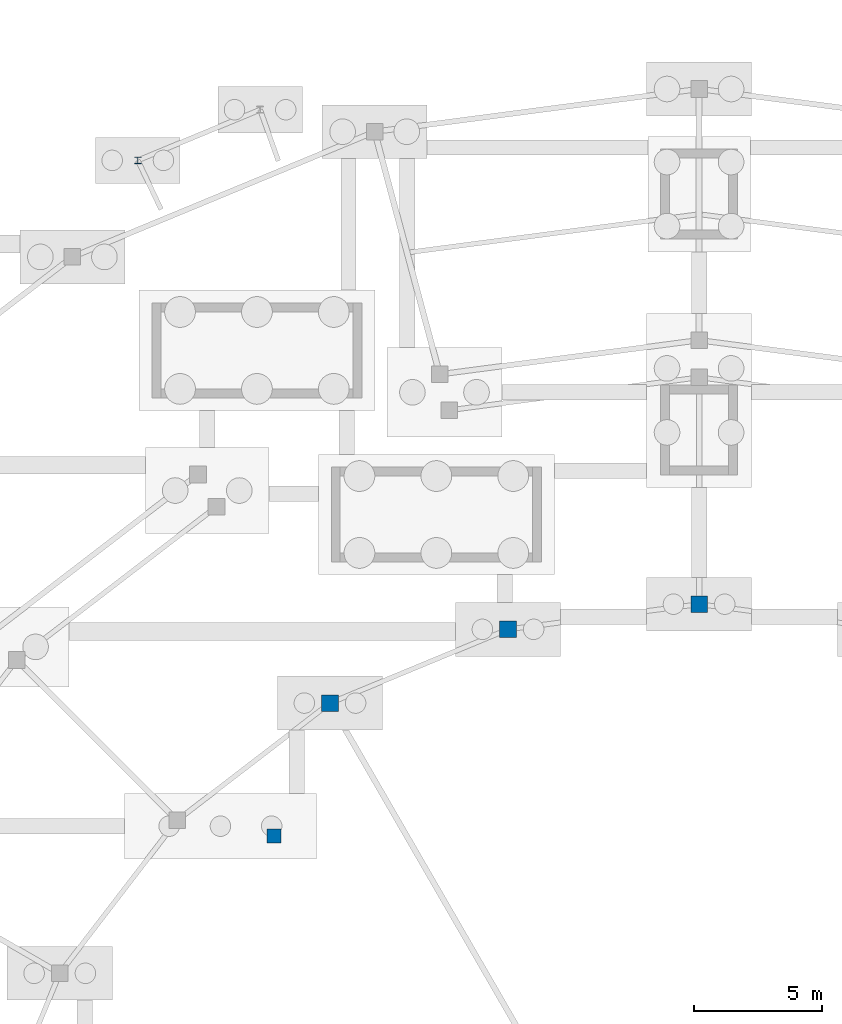
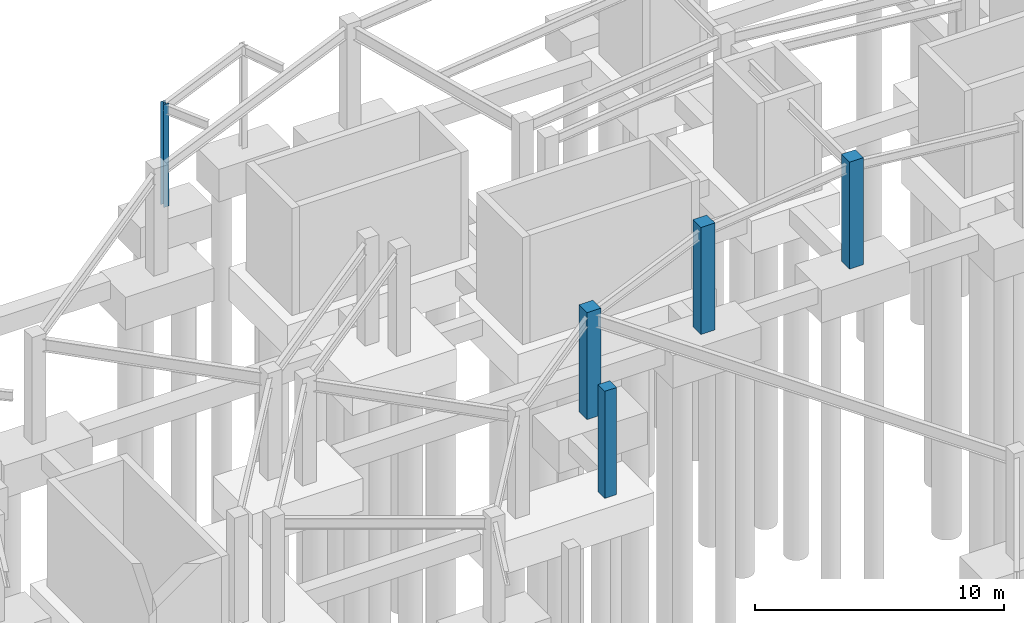
# One storey, part 24 of 55: 5 columns.
"""IFC4 building model written with IfcOpenShell, lengths in metres."""

from ifc_helpers import new_model, si_unit, direction, frame, origin, origin_2d, place, context, subcontext, project, spatial, rectangle, i_section, extrude, material, material_profile, profile_set, type_object, element, save


model = new_model("IFC4")

# Units and contexts
model_context = context("Model", 3, precision=1e-05, world=origin(), true_north=direction((0.0, 1.0)))
body_context = subcontext(model_context, "Body", "Model", "MODEL_VIEW")
ifc_project = project(units=[si_unit("LENGTHUNIT", "METRE"), si_unit("AREAUNIT", "SQUARE_METRE"), si_unit("VOLUMEUNIT", "CUBIC_METRE"), si_unit("PLANEANGLEUNIT", "RADIAN"), si_unit("MASSUNIT", "GRAM", prefix="KILO")], contexts=[model_context])

# Site, building, storey
site_placement = place(None, origin())
site = spatial("IfcSite", under=ifc_project, at=site_placement, CompositionType="ELEMENT")
building_placement = place(site_placement, origin())
building = spatial("IfcBuilding", under=site, at=building_placement, Name="Almandine Court Research Institute", CompositionType="ELEMENT")
storey_placement = place(building_placement, frame((0.0, 0.0, -5.25)))
storey = spatial("IfcBuildingStorey", under=building, at=storey_placement, Name="B1", CompositionType="ELEMENT", Elevation=-5.25)

# Columns
ifc_material_1 = material(Name="Concrete C40/50", Category="concrete")
ifc_material_profile_1 = material_profile(ifc_material_1, rectangle(XDim=0.64990234375, YDim=0.64990234375, at=origin_2d()), Name="RC 650x650")
ifc_profile_set_1 = profile_set([ifc_material_profile_1], Name="Concrete C40/50")
column_type_1 = type_object("IfcColumnType", Name="Col-C-RC2", PredefinedType="COLUMN", material=ifc_profile_set_1)
for number, where, z_axis, x_axis, name in (
    (1, (87.0, 84.800048828125, 0.0), (0.0, 0.0, 1.0), (1.0, 0.0, 0.0), "B1 V2 Column V2-MID-S06"),
    (2, (79.5458984375, 83.819091796875, 0.0), (0.0, 0.0, 1.0), (1.0, 0.0, 0.0), "B1 V2 Column V2-MID-S07"),
    (3, (72.60009765625, 80.94189453125, 0.0), (0.0, 0.0, 1.0), (1.0, 0.0, 0.0), "B1 V2 Column V2-MID-S08"),
):
    element("IfcColumn", number, at=place(storey_placement, frame(where, z_axis=z_axis, x_axis=x_axis)), inside=storey, type_object=column_type_1, Name=name, PredefinedType="COLUMN", context=body_context, shape_type="SweptSolid", body=[
        extrude(rectangle(XDim=0.64990234375, YDim=0.64990234375, at=origin_2d()), origin(), (0.0, 0.0, 1.0), 5.25),
    ])
ifc_material_profile_2 = material_profile(ifc_material_1, rectangle(XDim=0.550048828125, YDim=0.550048828125, at=origin_2d()), Name="RC 550x550")
ifc_profile_set_2 = profile_set([ifc_material_profile_2], Name="Concrete C40/50")
column_type_2 = type_object("IfcColumnType", Name="Col-C-RC3", PredefinedType="COLUMN", material=ifc_profile_set_2)
column_1_placement = place(storey_placement, frame((70.416015625, 75.763916015625, 0.0), z_axis=(0.0, 0.0, 1.0), x_axis=(1.0, 0.0, 0.0)))
element("IfcColumn", 4, at=column_1_placement, inside=storey, type_object=column_type_2, Name="B1 V2 Column STAT3", PredefinedType="COLUMN", context=body_context, shape_type="SweptSolid", body=[
    extrude(rectangle(XDim=0.550048828125, YDim=0.550048828125, at=origin_2d()), origin(), (0.0, 0.0, 1.0), 5.25),
])
ifc_material_2 = material(Name="Steel ASTM A992 Grade 50", Category="steel")
ifc_material_profile_3 = material_profile(ifc_material_2, i_section(OverallWidth=0.25390625, OverallDepth=0.2529296875, WebThickness=0.009033203125, FlangeThickness=0.013916015625, at=origin_2d()), Name="W250x73")
ifc_profile_set_3 = profile_set([ifc_material_profile_3], Name="Steel ASTM A992 Grade 50")
column_type_3 = type_object("IfcColumnType", Name="Col-C-W10", PredefinedType="COLUMN", material=ifc_profile_set_3)
column_2_placement = place(storey_placement, frame((65.10302734375, 102.114990234375, 0.0), z_axis=(0.0, 0.0, 1.0), x_axis=(1.0, 0.0, 0.0)))
element("IfcColumn", 5, at=column_2_placement, inside=storey, type_object=column_type_3, Name="B1 Exterior Threshold Support Column PAD-DRUM-S07-C2", PredefinedType="COLUMN", context=body_context, shape_type="SweptSolid", body=[
    extrude(i_section(OverallWidth=0.25390625, OverallDepth=0.2529296875, WebThickness=0.009033203125, FlangeThickness=0.013916015625, at=origin_2d()), origin(), (0.0, 0.0, 1.0), 5.050048828125),
])

save(model, "model.ifc")
